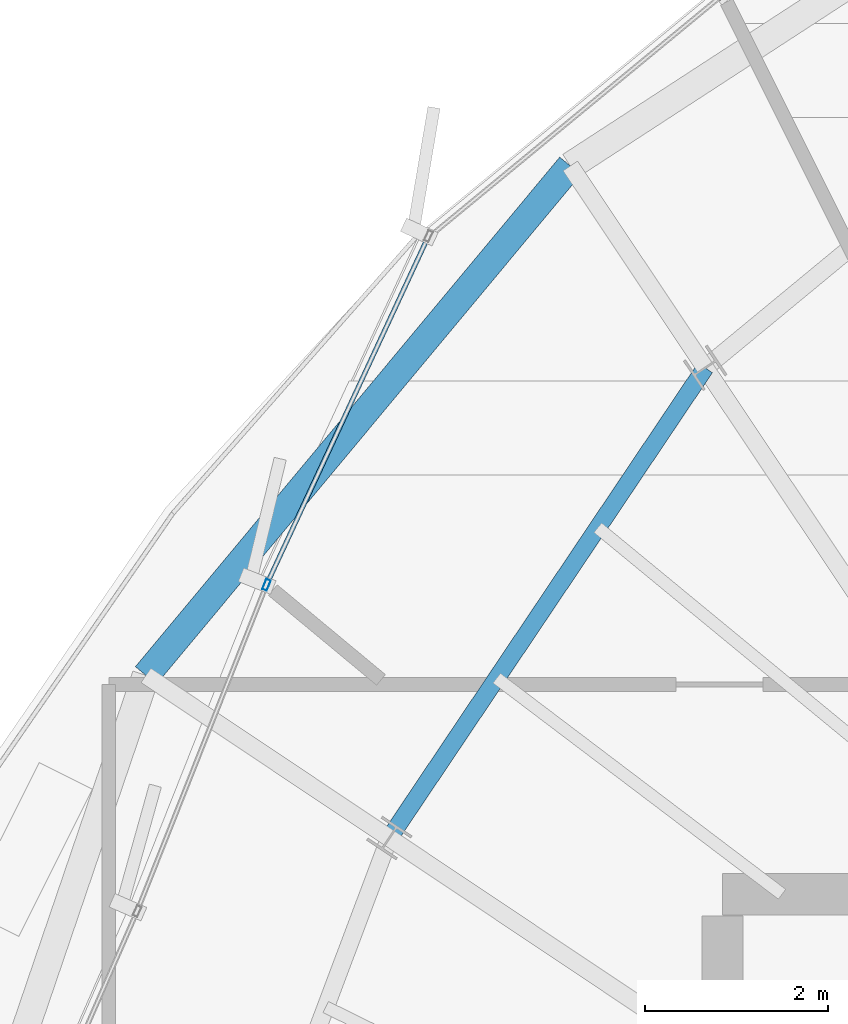
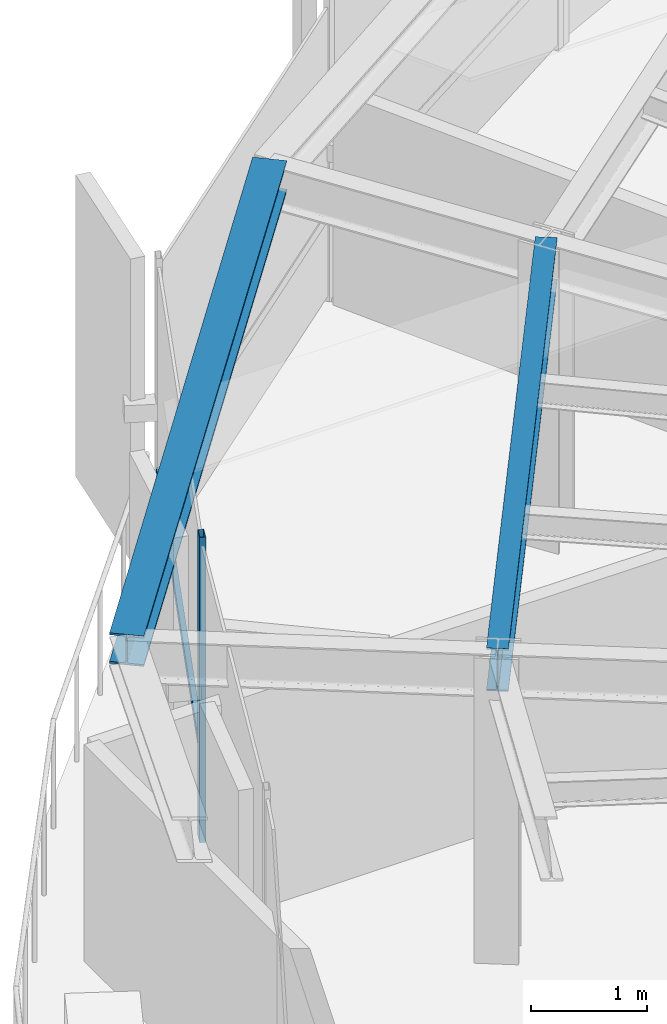
# One storey, part 19 of 36: 2 beams, 2 members, 1 element without a shape of its own.
"""IFC4 building model written with IfcOpenShell, lengths in metres."""

from ifc_helpers import new_model, si_unit, direction, frame, origin, origin_2d, place, context, subcontext, project, spatial, hollow_rectangle, i_section, extrude, source, transform, mapped, material, layer, layer_set, material_profile, profile_set, type_object, element, aggregate, save


model = new_model("IFC4")

# Units and contexts
model_context = context("Model", 3, precision=1e-05, world=origin(), true_north=direction((0.0, 1.0)))
body_context = subcontext(model_context, "Body", "Model", "MODEL_VIEW")
ifc_project = project(units=[si_unit("LENGTHUNIT", "METRE"), si_unit("AREAUNIT", "SQUARE_METRE"), si_unit("VOLUMEUNIT", "CUBIC_METRE"), si_unit("PLANEANGLEUNIT", "RADIAN"), si_unit("MASSUNIT", "GRAM", prefix="KILO"), si_unit("THERMODYNAMICTEMPERATUREUNIT", "KELVIN")], contexts=[model_context])

# Site, building, storey
site_placement = place(None, origin())
site = spatial("IfcSite", under=ifc_project, at=site_placement, CompositionType="ELEMENT")
building_placement = place(site_placement, origin())
building = spatial("IfcBuilding", under=site, at=building_placement, Name="Kethvar Cultural Tower", CompositionType="ELEMENT")
storey_placement = place(building_placement, frame((0.0, 0.0, 242.199951171875)))
storey = spatial("IfcBuildingStorey", under=building, at=storey_placement, Name="L63", CompositionType="ELEMENT", Elevation=242.199951171875)

# Beams
ifc_material_1 = material(Name="Steel S355J2", Category="steel")
ifc_material_profile_1 = material_profile(ifc_material_1, i_section(OverallWidth=0.18994140625, OverallDepth=0.449951171875, WebThickness=0.009521484375, FlangeThickness=0.0146484375, FilletRadius=0.02099609375, at=origin_2d()), Name="Steel S355J2 — IPE450")
ifc_profile_set_1 = profile_set([ifc_material_profile_1], Name="Steel S355J2 — IPE450")
beam_type_1 = type_object("IfcBeamType", Name="BM-IPE450", PredefinedType="BEAM", material=ifc_profile_set_1)
shared_shape_1 = source(origin(), body_context, "Body", "SweptSolid", [
    extrude(i_section(OverallWidth=0.18994140625, OverallDepth=0.449951171875, WebThickness=0.009521484375, FlangeThickness=0.0146484375, FilletRadius=0.02099609375, at=origin_2d()), origin(), (0.0, 0.0, 1.0), 6.192626953125),
])
beam_1_placement = place(storey_placement, frame((37.8095703125, 41.255126953125, 2.983154296875), z_axis=(-0.557698912025, -0.830043326295, 0.0), x_axis=(0.830043326295, -0.557698912025, 0.0)))
element("IfcBeam", 1, at=beam_1_placement, inside=storey, type_object=beam_type_1, Name="L63 Column Ring Tie Beam CR-06", PredefinedType="BEAM", context=body_context, shape_type="MappedRepresentation", body=[
    mapped(shared_shape_1, transform((0.0, 0.0, 0.0), scale=1.0)),
])
ifc_material_profile_2 = material_profile(ifc_material_1, i_section(OverallWidth=0.300048828125, OverallDepth=0.320068359375, WebThickness=0.011474609375, FlangeThickness=0.0205078125, FilletRadius=0.027099609375, at=origin_2d()), Name="Steel S355J2 — HEB320")
ifc_profile_set_2 = profile_set([ifc_material_profile_2], Name="Steel S355J2 — HEB320")
beam_type_2 = type_object("IfcBeamType", Name="BM-SP320", PredefinedType="SPANDREL", material=ifc_profile_set_2)
shared_shape_2 = source(origin(), body_context, "Body", "SweptSolid", [
    extrude(i_section(OverallWidth=0.300048828125, OverallDepth=0.320068359375, WebThickness=0.011474609375, FlangeThickness=0.0205078125, FilletRadius=0.027099609375, at=origin_2d()), origin(), (0.0, 0.0, 1.0), 7.249267578125),
])
beam_2_placement = place(storey_placement, frame((36.33447265625, 43.462890625, 3.048095703125), z_axis=(-0.639959112578, -0.768408962876, 0.0), x_axis=(0.768408962876, -0.639959112578, 0.0)))
element("IfcBeam", 2, at=beam_2_placement, inside=storey, type_object=beam_type_2, Name="L63 Perimeter Spandrel Beam SP-06", PredefinedType="SPANDREL", context=body_context, shape_type="MappedRepresentation", body=[
    mapped(shared_shape_2, transform((0.0, 0.0, 0.0), scale=1.0)),
])

# Curtain wall, members
ifc_material_2 = material(Name="Aluminium 6063-T6", Category="aluminium")
ifc_layer = layer(ifc_material_2, 0.179931640625, Name="Aluminium 6063-T6", Category="aluminium")
ifc_layer_set = layer_set([ifc_layer], Name="Aluminium 6063-T6 (180 mm)")
curtain_wall_type = type_object("IfcCurtainWallType", Name="CW-SYS-05-Z56", PredefinedType="NOTDEFINED", material=ifc_layer_set)
curtain_wall_placement = place(storey_placement, origin())
curtain_wall = element("IfcCurtainWall", 3, at=curtain_wall_placement, inside=storey, type_object=curtain_wall_type, Name="L63 Curtain Wall Run 02", PredefinedType="NOTDEFINED")
ifc_material_profile_3 = material_profile(ifc_material_2, hollow_rectangle(XDim=0.054931640625, YDim=0.1201171875, WallThickness=0.00390625, at=origin_2d()), Name="Aluminium 6063-T6 — RHS120x55x4")
ifc_profile_set_3 = profile_set([ifc_material_profile_3], Name="Aluminium 6063-T6 — RHS120x55x4")
member_type_1 = type_object("IfcMemberType", Name="CW-SYS-05-Z56-MUL", PredefinedType="MULLION", material=ifc_profile_set_3)
shared_shape_3 = source(origin(), body_context, "Body", "SweptSolid", [
    extrude(hollow_rectangle(XDim=0.054931640625, YDim=0.1201171875, WallThickness=0.00390625, at=origin_2d()), origin(), (0.0, 0.0, 1.0), 3.2099609375),
])
member_1_placement = place(storey_placement, frame((33.01318359375, 38.8828125, 0.0), z_axis=(0.0, 0.0, 1.0), x_axis=(0.92966722021, -0.368400406714, 0.0)))
member_1 = element("IfcMember", 4, at=member_1_placement, type_object=member_type_1, Name="CW-L63-R02 Mullion 4", PredefinedType="MULLION", context=body_context, shape_type="MappedRepresentation", body=[
    mapped(shared_shape_3, transform((0.0, 0.0, 0.0), scale=1.0)),
])
ifc_material_profile_4 = material_profile(ifc_material_2, hollow_rectangle(XDim=0.050048828125, YDim=0.10009765625, WallThickness=0.00390625, at=origin_2d()), Name="Aluminium 6063-T6 — RHS100x50x4")
ifc_profile_set_4 = profile_set([ifc_material_profile_4], Name="Aluminium 6063-T6 — RHS100x50x4")
member_type_2 = type_object("IfcMemberType", Name="CW-SYS-05-Z56-TRN", PredefinedType="USERDEFINED", material=ifc_profile_set_4)
shared_shape_4 = source(origin(), body_context, "Body", "SweptSolid", [
    extrude(hollow_rectangle(XDim=0.050048828125, YDim=0.10009765625, WallThickness=0.00390625, at=origin_2d()), origin(), (0.0, 0.0, 1.0), 4.128173828125),
])
member_2_placement = place(storey_placement, frame((34.7666015625, 42.65771484375, 0.949951171875), z_axis=(-0.421243355165, -0.906947647734, 0.0), x_axis=(0.906947647734, -0.421243355165, 0.0)))
member_2 = element("IfcMember", 5, at=member_2_placement, type_object=member_type_2, Name="CW-L63-R02 Transom 3", ObjectType="TRANSOM", PredefinedType="USERDEFINED", context=body_context, shape_type="MappedRepresentation", body=[
    mapped(shared_shape_4, transform((0.0, 0.0, 0.0), scale=1.0)),
])
aggregate(curtain_wall, [member_1, member_2])

save(model, "model.ifc")
